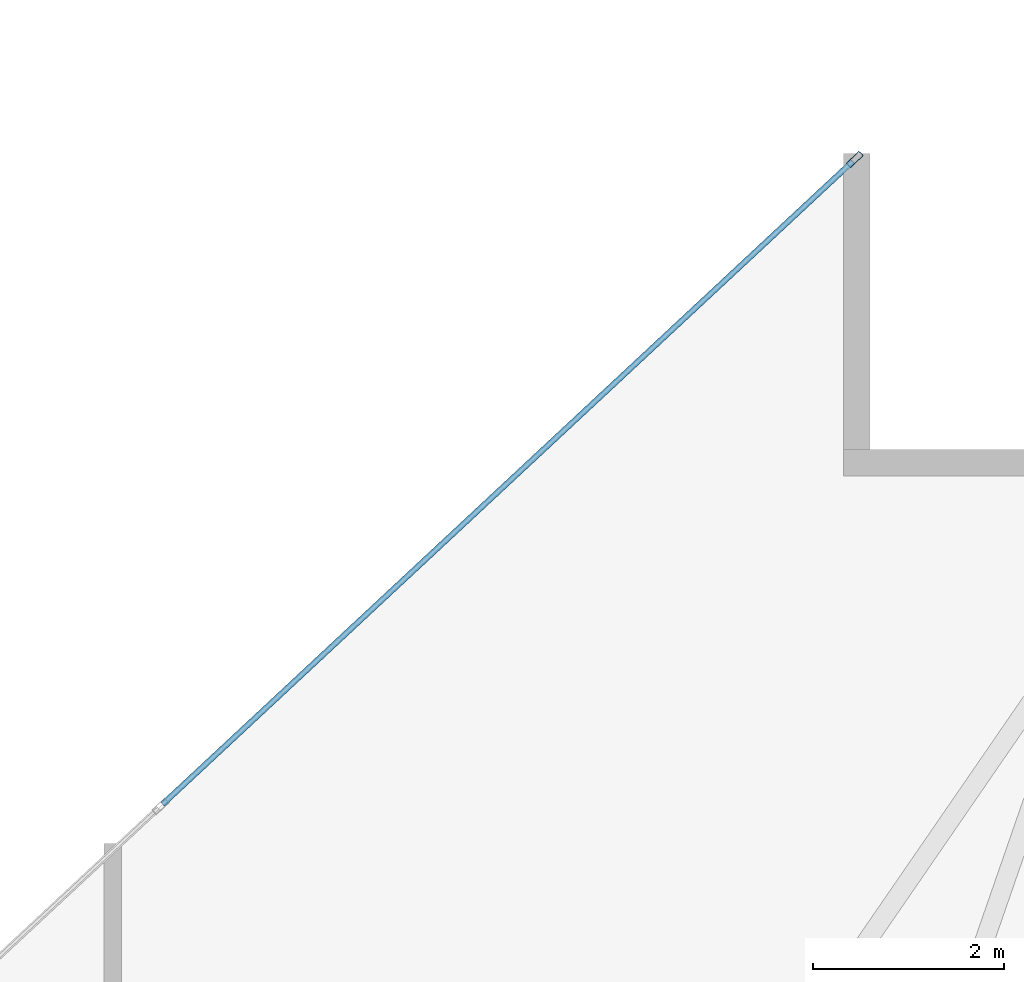
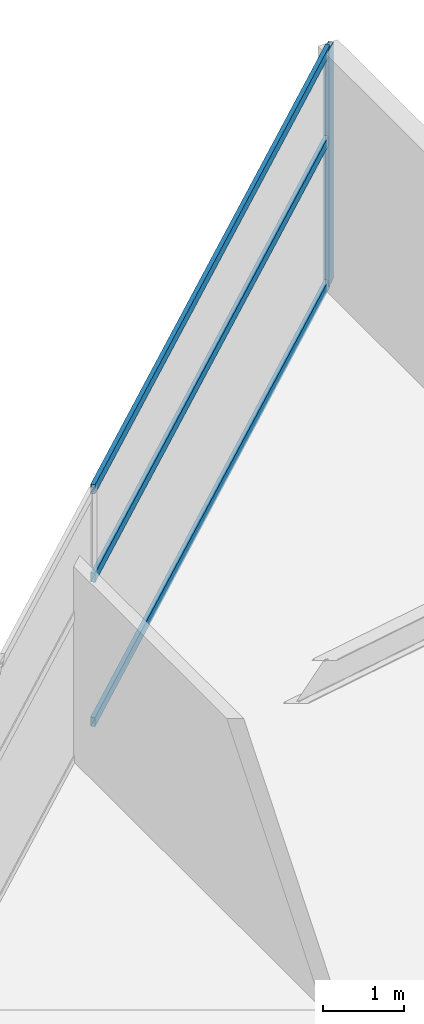
# One storey, part 20 of 28: 4 members, 1 element without a shape of its own.
"""IFC4 building model written with IfcOpenShell, lengths in metres."""

from ifc_helpers import new_model, si_unit, direction, frame, origin, origin_2d, place, context, subcontext, project, spatial, hollow_rectangle, extrude, material, layer, layer_set, material_profile, profile_set, type_object, element, aggregate, save


model = new_model("IFC4")

# Units and contexts
model_context = context("Model", 3, precision=1e-05, world=origin(), true_north=direction((0.0, 1.0)))
body_context = subcontext(model_context, "Body", "Model", "MODEL_VIEW")
ifc_project = project(units=[si_unit("LENGTHUNIT", "METRE"), si_unit("AREAUNIT", "SQUARE_METRE"), si_unit("VOLUMEUNIT", "CUBIC_METRE"), si_unit("PLANEANGLEUNIT", "RADIAN"), si_unit("MASSUNIT", "GRAM", prefix="KILO")], contexts=[model_context])

# Site, building, storey
site_placement = place(None, origin())
site = spatial("IfcSite", under=ifc_project, at=site_placement, CompositionType="ELEMENT")
building_placement = place(site_placement, origin())
building = spatial("IfcBuilding", under=site, at=building_placement, Name="Calvorn Quay Hotel", CompositionType="ELEMENT")
storey_placement = place(building_placement, frame((0.0, 0.0, 219.300048828125)))
storey = spatial("IfcBuildingStorey", under=building, at=storey_placement, Name="L54", CompositionType="ELEMENT", Elevation=219.300048828125)

# Curtain wall, members
ifc_material_1 = material(Name="Champagne Bronze Anodised Aluminium and Low-E Glass", Category="aluminium")
ifc_layer = layer(ifc_material_1, 0.219970703125)
ifc_layer_set = layer_set([ifc_layer], Name="CW-SYS-Z3")
curtain_wall_type = type_object("IfcCurtainWallType", Name="CW-SYS-Z3", PredefinedType="NOTDEFINED", material=ifc_layer_set)
curtain_wall_placement = place(storey_placement, origin())
curtain_wall = element("IfcCurtainWall", 1, at=curtain_wall_placement, inside=storey, type_object=curtain_wall_type, Name="Inner Court Curtain Wall L54-NE1", PredefinedType="NOTDEFINED")
ifc_material_2 = material(Name="Champagne Bronze Anodised Aluminium 6063-T6", Category="aluminium")
ifc_material_profile_1 = material_profile(ifc_material_2, hollow_rectangle(XDim=0.068115234375, YDim=0.18505859375, WallThickness=0.00390625, at=origin_2d()), Name="ALU-M185x68x4")
ifc_profile_set_1 = profile_set([ifc_material_profile_1], Name="Champagne Bronze Anodised Aluminium 6063-T6")
member_type_1 = type_object("IfcMemberType", Name="CW-SYS-Z3-MUL", PredefinedType="MULLION", material=ifc_profile_set_1)
member_1_placement = place(storey_placement, frame((36.177978515625, 37.9794921875, 0.0), z_axis=(0.0, 0.0, 1.0), x_axis=(0.681603655102, -0.731721570922, 0.0)))
member_1 = element("IfcMember", 2, at=member_1_placement, type_object=member_type_1, Name="CW-L54-NE1 mullion 1", PredefinedType="MULLION", context=body_context, shape_type="SweptSolid", body=[
    extrude(hollow_rectangle(XDim=0.068115234375, YDim=0.18505859375, WallThickness=0.00390625, at=origin_2d()), origin(), (0.0, 0.0, 1.0), 3.56005859375),
])
ifc_material_3 = material(Name="Champagne Bronze Anodised Aluminium 6063-T6", Category="aluminium")
ifc_material_profile_2 = material_profile(ifc_material_3, hollow_rectangle(XDim=0.05810546875, YDim=0.139892578125, WallThickness=0.003173828125, at=origin_2d()), Name="ALU-T140x58x3.2")
ifc_profile_set_2 = profile_set([ifc_material_profile_2], Name="Champagne Bronze Anodised Aluminium 6063-T6")
member_type_2 = type_object("IfcMemberType", Name="CW-SYS-Z3-TRN", PredefinedType="USERDEFINED", material=ifc_profile_set_2)
member_2_placement = place(storey_placement, frame((36.156005859375, 37.958984375, 0.030029296875), z_axis=(-0.731727475975, -0.681597315798, 0.0), x_axis=(0.681597315798, -0.731727475975, 0.0)))
member_2 = element("IfcMember", 3, at=member_2_placement, type_object=member_type_2, Name="CW-L54-NE1 transom 1.1", ObjectType="TRANSOM", PredefinedType="USERDEFINED", context=body_context, shape_type="SweptSolid", body=[
    extrude(hollow_rectangle(XDim=0.05810546875, YDim=0.139892578125, WallThickness=0.003173828125, at=origin_2d()), origin(), (0.0, 0.0, 1.0), 9.886474609375),
])
member_3_placement = place(storey_placement, frame((36.156005859375, 37.958984375, 2.199951171875), z_axis=(-0.731727475975, -0.681597315798, 0.0), x_axis=(0.681597315798, -0.731727475975, 0.0)))
member_3 = element("IfcMember", 4, at=member_3_placement, type_object=member_type_2, Name="CW-L54-NE1 transom 1.2", ObjectType="TRANSOM", PredefinedType="USERDEFINED", context=body_context, shape_type="SweptSolid", body=[
    extrude(hollow_rectangle(XDim=0.05810546875, YDim=0.139892578125, WallThickness=0.003173828125, at=origin_2d()), origin(), (0.0, 0.0, 1.0), 9.886474609375),
])
member_4_placement = place(storey_placement, frame((36.156005859375, 37.958984375, 3.530029296875), z_axis=(-0.731727475975, -0.681597315798, 0.0), x_axis=(0.681597315798, -0.731727475975, 0.0)))
member_4 = element("IfcMember", 5, at=member_4_placement, type_object=member_type_2, Name="CW-L54-NE1 transom 1.3", ObjectType="TRANSOM", PredefinedType="USERDEFINED", context=body_context, shape_type="SweptSolid", body=[
    extrude(hollow_rectangle(XDim=0.05810546875, YDim=0.139892578125, WallThickness=0.003173828125, at=origin_2d()), origin(), (0.0, 0.0, 1.0), 9.886474609375),
])
aggregate(curtain_wall, [member_1, member_2, member_3, member_4])

save(model, "model.ifc")
